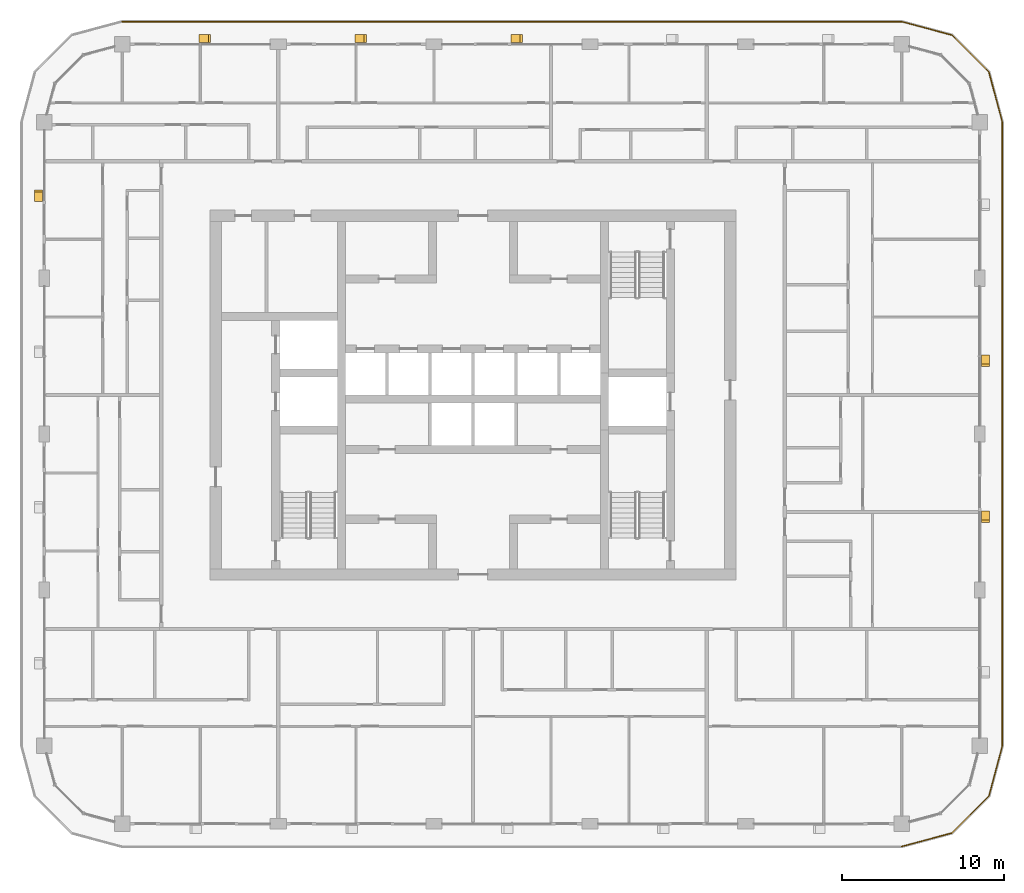
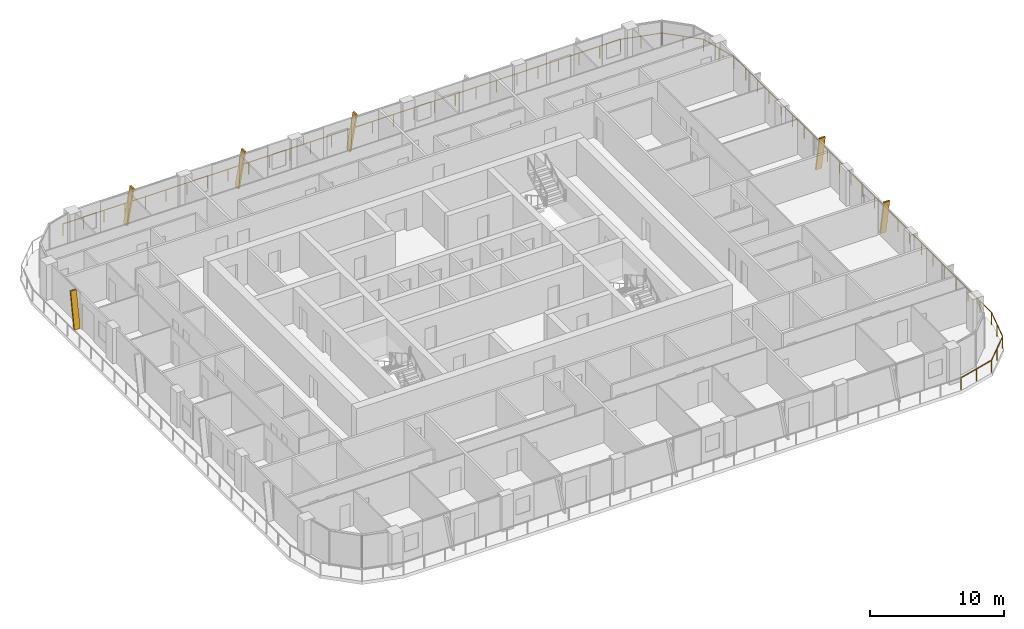
# One storey, part 20 of 21: 6 shading devices, 1 railing.
"""IFC4 building model written with IfcOpenShell, lengths in metres."""

import ifcopenshell
import ifcopenshell.guid

model = None  # the IFC model being written
_history = None  # IfcOwnerHistory: only IFC2X3 demands one
_inside = {}  # id of a spatial element -> (the spatial element, [elements in it])
_under = {}  # id of a project, library or spatial element -> (it, [spatial elements below it])
_declared = {}  # id of a project -> (the project, [libraries it declares])
_typed = {}  # id of a type object -> (the type object, [elements of that type])
_made_of = {}  # id of a material, layer set ... -> (it, [elements and type objects made of it])


def new_model(schema):
    """Start an empty IFC model of exactly this schema.

    Asked for "IFC4X3", IfcOpenShell would pick the latest addendum, in which some entities
    have other attributes; the version numbers below select the first issue.
    IFC2X3 requires an IfcOwnerHistory on every rooted entity: one is made here for all.
    """
    global model, _history
    if schema == "IFC4X3":
        model = ifcopenshell.file(schema_version=(4, 3, 0, 0))
    else:
        model = ifcopenshell.file(schema=schema)
    _inside.clear()
    _under.clear()
    _declared.clear()
    _typed.clear()
    _made_of.clear()
    _history = None
    if model.schema == "IFC2X3":
        org = make("IfcOrganization", Name="unknown")
        user = make(
            "IfcPersonAndOrganization",
            ThePerson=make("IfcPerson", FamilyName="unknown"),
            TheOrganization=org,
        )
        app = make(
            "IfcApplication",
            ApplicationDeveloper=org,
            Version="unknown",
            ApplicationFullName="unknown",
            ApplicationIdentifier="unknown",
        )
        _history = make(
            "IfcOwnerHistory",
            OwningUser=user,
            OwningApplication=app,
            ChangeAction="ADDED",
            CreationDate=0,
        )
    return model


def make(cls, **values):
    """One entity of the class cls with the attributes given. An attribute that is None is left unset."""
    return model.create_entity(
        cls, **{name: value for name, value in values.items() if value is not None}
    )


def rooted(cls, **values):
    """An entity with a GlobalId (a new one), such as an element, a storey or a relation."""
    return make(cls, GlobalId=ifcopenshell.guid.new(), OwnerHistory=_history, **values)


def si_unit(unit_type, name, prefix=None):
    """IfcSIUnit, for example si_unit("LENGTHUNIT", "METRE", prefix="MILLI")."""
    return make("IfcSIUnit", UnitType=unit_type, Prefix=prefix, Name=name)


def assignment(units):
    """IfcUnitAssignment: the units of a project."""
    return None if units is None else make("IfcUnitAssignment", Units=units)


def point(xyz):
    """IfcCartesianPoint."""
    return None if xyz is None else make("IfcCartesianPoint", Coordinates=xyz)


def direction(xyz):
    """IfcDirection."""
    return None if xyz is None else make("IfcDirection", DirectionRatios=xyz)


def frame(location, z_axis=None, x_axis=None):
    """IfcAxis2Placement3D, a coordinate frame: its origin and axes. An axis left out is left unset."""
    return make(
        "IfcAxis2Placement3D",
        Location=point(location),
        Axis=direction(z_axis),
        RefDirection=direction(x_axis),
    )


def frame_2d(location, x_axis=None):
    """IfcAxis2Placement2D, a coordinate frame in the plane: its origin and x axis."""
    return make(
        "IfcAxis2Placement2D", Location=point(location), RefDirection=direction(x_axis)
    )


def origin():
    """The frame at (0, 0, 0) with its axes left unset."""
    return frame((0.0, 0.0, 0.0))


def origin_2d():
    """The frame at (0, 0) in the plane with its x axis left unset."""
    return frame_2d((0.0, 0.0))


def place(relative_to, where):
    """IfcLocalPlacement: puts the frame where relative to a parent placement (None: the world)."""
    return make(
        "IfcLocalPlacement", PlacementRelTo=relative_to, RelativePlacement=where
    )


def context(
    kind, dimensions, precision=None, world=None, true_north=None, identifier=None
):
    """IfcGeometricRepresentationContext, for example the 3D "Model" context."""
    return make(
        "IfcGeometricRepresentationContext",
        ContextIdentifier=identifier,
        ContextType=kind,
        CoordinateSpaceDimension=dimensions,
        Precision=precision,
        WorldCoordinateSystem=world,
        TrueNorth=true_north,
    )


def subcontext(parent, identifier, kind, view, scale=None):
    """IfcGeometricRepresentationSubContext, for example "Body" below "Model"."""
    return make(
        "IfcGeometricRepresentationSubContext",
        ContextIdentifier=identifier,
        ContextType=kind,
        ParentContext=parent,
        TargetScale=scale,
        TargetView=view,
    )


def project(units=None, contexts=None):
    """IfcProject with its units and contexts."""
    return rooted(
        "IfcProject",
        Name="project",
        RepresentationContexts=contexts,
        UnitsInContext=assignment(units),
    )


def spatial(cls, under=None, at=None, **own):
    """A site, building, storey or space (cls), placed at a placement, below another one or the project."""
    s = rooted(cls, ObjectPlacement=at, **own)
    if under is not None:
        _under.setdefault(under.id(), (under, []))[1].append(s)
    return s


def polyline(points):
    """IfcPolyline through the points."""
    return make("IfcPolyline", Points=[point(p) for p in points])


def profile(cls, at=None, kind="AREA", **sizes):
    """A parametric profile (cls). Its sizes go by their IFC names, for example OverallWidth=200.0."""
    return make(cls, ProfileType=kind, Position=at, **sizes)


def circle(**sizes):
    """IfcCircleProfileDef."""
    return profile("IfcCircleProfileDef", **sizes)


def outline(outer, holes=None, kind="AREA"):
    """IfcArbitraryClosedProfileDef: a profile drawn as a closed curve; with holes, ...WithVoids."""
    if holes is None:
        return make("IfcArbitraryClosedProfileDef", ProfileType=kind, OuterCurve=outer)
    return make(
        "IfcArbitraryProfileDefWithVoids",
        ProfileType=kind,
        OuterCurve=outer,
        InnerCurves=holes,
    )


def extrude(swept, where, along, depth):
    """IfcExtrudedAreaSolid: the profile swept, set in the frame where, extruded along a direction by depth."""
    return make(
        "IfcExtrudedAreaSolid",
        SweptArea=swept,
        Position=where,
        ExtrudedDirection=direction(along),
        Depth=depth,
    )


def shape(context_of_items, identifier, shape_type, items):
    """IfcShapeRepresentation: the items that make up one representation, for example the "Body"."""
    return make(
        "IfcShapeRepresentation",
        ContextOfItems=context_of_items,
        RepresentationIdentifier=identifier,
        RepresentationType=shape_type,
        Items=items,
    )


def material(Name=None, Category=None):
    """IfcMaterial."""
    return make("IfcMaterial", Name=Name, Category=Category)


def made_of(thing, what):
    """Note that an element or type object is made of a material, layer set ...; save() writes the relation."""
    if what is not None:
        _made_of.setdefault(what.id(), (what, []))[1].append(thing)
    return thing


def type_object(cls, material=None, **own):
    """A type object (cls), such as IfcWallType, which elements share."""
    return made_of(rooted(cls, **own), material)


def element(
    cls,
    number,
    at=None,
    inside=None,
    cuts=None,
    type_object=None,
    material=None,
    context=None,
    identifier="Body",
    shape_type=None,
    held_by="IfcProductDefinitionShape",
    body=None,
    shapes=None,
    **own,
):
    """One element of the class cls, such as IfcWall. Its Tag is "e" and its number.

    at: its placement. inside: the storey or other place that contains it. cuts: it is an
    opening in that element (IfcRelVoidsElement). A single representation is given by context,
    identifier, shape_type and body (its items); several are given by shapes. held_by: the class
    of the entity that holds the representations. save() writes the other relations.
    """
    e = rooted(cls, Tag="e%d" % number, ObjectPlacement=at, **own)
    if body is not None:
        shapes = [shape(context, identifier, shape_type, body)]
    if shapes is not None:
        e.Representation = make(held_by, Representations=shapes)
    if inside is not None:
        _inside.setdefault(inside.id(), (inside, []))[1].append(e)
    if cuts is not None:
        rooted(
            "IfcRelVoidsElement", RelatingBuildingElement=cuts, RelatedOpeningElement=e
        )
    if type_object is not None:
        _typed.setdefault(type_object.id(), (type_object, []))[1].append(e)
    return made_of(e, material)


def aggregate(whole, parts):
    """IfcRelAggregates: a whole, such as a stair, and the parts it consists of."""
    return rooted("IfcRelAggregates", RelatingObject=whole, RelatedObjects=parts)


def save(model, path):
    """Write the relations noted so far, then the file.

    IfcRelAggregates (storeys below a building ...), IfcRelContainedInSpatialStructure (elements
    in a storey), IfcRelDefinesByType, IfcRelAssociatesMaterial and IfcRelDeclares: one each for
    every whole, place, type object, material and project.
    """
    for whole, parts in _under.values():
        aggregate(whole, parts)
    for where, things in _inside.values():
        rooted(
            "IfcRelContainedInSpatialStructure",
            RelatedElements=things,
            RelatingStructure=where,
        )
    for kind, things in _typed.values():
        rooted("IfcRelDefinesByType", RelatedObjects=things, RelatingType=kind)
    for what, things in _made_of.values():
        rooted("IfcRelAssociatesMaterial", RelatedObjects=things, RelatingMaterial=what)
    for by, libraries in _declared.values():
        rooted("IfcRelDeclares", RelatingContext=by, RelatedDefinitions=libraries)
    model.write(path)


model = new_model("IFC4")

# Units and contexts
model_context = context("Model", 3, precision=1e-05, world=origin(), true_north=direction((0.0, 1.0)))
body_context = subcontext(model_context, "Body", "Model", "MODEL_VIEW")
ifc_project = project(units=[si_unit("LENGTHUNIT", "METRE"), si_unit("AREAUNIT", "SQUARE_METRE"), si_unit("VOLUMEUNIT", "CUBIC_METRE"), si_unit("PLANEANGLEUNIT", "RADIAN"), si_unit("MASSUNIT", "GRAM", prefix="KILO")], contexts=[model_context])

# Site, building, storey
site_placement = place(None, origin())
site = spatial("IfcSite", under=ifc_project, at=site_placement, CompositionType="ELEMENT")
building_placement = place(site_placement, origin())
building = spatial("IfcBuilding", under=site, at=building_placement, Name="Madar Terraces", CompositionType="ELEMENT")
storey_placement = place(building_placement, frame((0.0, 0.0, 196.39990234375)))
storey = spatial("IfcBuildingStorey", under=building, at=storey_placement, Name="L51", CompositionType="ELEMENT", Elevation=196.39990234375)

# Railing
ifc_material_1 = material(Name="Glass, safety glazing, with stainless steel posts", Category="steel")
railing_type = type_object("IfcRailingType", Name="Balcony glass guard 1100", PredefinedType="GUARDRAIL", material=ifc_material_1)
railing_placement = place(storey_placement, frame((57.60009765625, -1.39990234375, 0.0)))
element("IfcRailing", 1, at=railing_placement, inside=storey, type_object=railing_type, Name="Balcony guard", PredefinedType="GUARDRAIL", context=body_context, shape_type="SweptSolid", body=[
    extrude(circle(Radius=0.02392578125, at=origin_2d()), frame((0.0, 0.0, 1.076171875), z_axis=(0.965928696102, 0.258808334578, 0.0), x_axis=(-0.258808334578, 0.965928696102, 0.0)), (0.0, 0.0, 1.0), 3.209228515625),
    extrude(circle(Radius=0.02392578125, at=origin_2d()), frame((3.099853515625, 0.83056640625, 1.076171875), z_axis=(0.707144815061, 0.707068745266, 0.0), x_axis=(-0.707068745266, 0.707144815061, 0.0)), (0.0, 0.0, 1.0), 3.20947265625),
    extrude(circle(Radius=0.02392578125, at=origin_2d()), frame((5.369384765625, 3.099853515625, 1.076171875), z_axis=(0.258789317819, 0.9659337912, 0.0), x_axis=(-0.9659337912, 0.258789317819, 0.0)), (0.0, 0.0, 1.0), 3.20947265625),
    extrude(circle(Radius=0.02392578125, at=origin_2d()), frame((6.199951171875, 6.199951171875, 1.076171875), z_axis=(0.0, 1.0, 0.0), x_axis=(-1.0, 0.0, 0.0)), (0.0, 0.0, 1.0), 38.39990234375),
    extrude(circle(Radius=0.02392578125, at=origin_2d()), frame((6.199951171875, 44.599853515625, 1.076171875), z_axis=(-0.258789317819, 0.9659337912, 0.0), x_axis=(-0.9659337912, -0.258789317819, 0.0)), (0.0, 0.0, 1.0), 3.20947265625),
    extrude(circle(Radius=0.02392578125, at=origin_2d()), frame((5.369384765625, 47.699951171875, 1.076171875), z_axis=(-0.707144815061, 0.707068745266, 0.0), x_axis=(-0.707068745266, -0.707144815061, 0.0)), (0.0, 0.0, 1.0), 3.20947265625),
    extrude(circle(Radius=0.02392578125, at=origin_2d()), frame((3.099853515625, 49.96923828125, 1.076171875), z_axis=(-0.965928696102, 0.258808334578, 0.0), x_axis=(-0.258808334578, -0.965928696102, 0.0)), (0.0, 0.0, 1.0), 3.209228515625),
    extrude(circle(Radius=0.02392578125, at=origin_2d()), frame((0.0, 50.7998046875, 1.076171875), z_axis=(-1.0, 0.0, 0.0), x_axis=(0.0, -1.0, 0.0)), (0.0, 0.0, 1.0), 48.0),
    extrude(circle(Radius=0.02099609375, at=origin_2d()), origin(), (0.0, 0.0, 1.0), 1.052001953125),
    extrude(circle(Radius=0.02099609375, at=origin_2d()), frame((1.5498046875, 0.415283203125, 0.0)), (0.0, 0.0, 1.0), 1.052001953125),
    extrude(circle(Radius=0.02099609375, at=origin_2d()), frame((3.099853515625, 0.83056640625, 0.0)), (0.0, 0.0, 1.0), 1.052001953125),
    extrude(circle(Radius=0.02099609375, at=origin_2d()), frame((4.234619140625, 1.96533203125, 0.0)), (0.0, 0.0, 1.0), 1.052001953125),
    extrude(circle(Radius=0.02099609375, at=origin_2d()), frame((5.369384765625, 3.099853515625, 0.0)), (0.0, 0.0, 1.0), 1.052001953125),
    extrude(circle(Radius=0.02099609375, at=origin_2d()), frame((5.78466796875, 4.64990234375, 0.0)), (0.0, 0.0, 1.0), 1.052001953125),
    extrude(circle(Radius=0.02099609375, at=origin_2d()), frame((6.199951171875, 6.199951171875, 0.0)), (0.0, 0.0, 1.0), 1.052001953125),
    extrude(circle(Radius=0.02099609375, at=origin_2d()), frame((6.199951171875, 7.9453125, 0.0)), (0.0, 0.0, 1.0), 1.052001953125),
    extrude(circle(Radius=0.02099609375, at=origin_2d()), frame((6.199951171875, 9.69091796875, 0.0)), (0.0, 0.0, 1.0), 1.052001953125),
    extrude(circle(Radius=0.02099609375, at=origin_2d()), frame((6.199951171875, 11.436279296875, 0.0)), (0.0, 0.0, 1.0), 1.052001953125),
    extrude(circle(Radius=0.02099609375, at=origin_2d()), frame((6.199951171875, 13.181640625, 0.0)), (0.0, 0.0, 1.0), 1.052001953125),
    extrude(circle(Radius=0.02099609375, at=origin_2d()), frame((6.199951171875, 14.92724609375, 0.0)), (0.0, 0.0, 1.0), 1.052001953125),
    extrude(circle(Radius=0.02099609375, at=origin_2d()), frame((6.199951171875, 16.672607421875, 0.0)), (0.0, 0.0, 1.0), 1.052001953125),
    extrude(circle(Radius=0.02099609375, at=origin_2d()), frame((6.199951171875, 18.418212890625, 0.0)), (0.0, 0.0, 1.0), 1.052001953125),
    extrude(circle(Radius=0.02099609375, at=origin_2d()), frame((6.199951171875, 20.16357421875, 0.0)), (0.0, 0.0, 1.0), 1.052001953125),
    extrude(circle(Radius=0.02099609375, at=origin_2d()), frame((6.199951171875, 21.908935546875, 0.0)), (0.0, 0.0, 1.0), 1.052001953125),
    extrude(circle(Radius=0.02099609375, at=origin_2d()), frame((6.199951171875, 23.654541015625, 0.0)), (0.0, 0.0, 1.0), 1.052001953125),
    extrude(circle(Radius=0.02099609375, at=origin_2d()), frame((6.199951171875, 25.39990234375, 0.0)), (0.0, 0.0, 1.0), 1.052001953125),
    extrude(circle(Radius=0.02099609375, at=origin_2d()), frame((6.199951171875, 27.145263671875, 0.0)), (0.0, 0.0, 1.0), 1.052001953125),
    extrude(circle(Radius=0.02099609375, at=origin_2d()), frame((6.199951171875, 28.890869140625, 0.0)), (0.0, 0.0, 1.0), 1.052001953125),
    extrude(circle(Radius=0.02099609375, at=origin_2d()), frame((6.199951171875, 30.63623046875, 0.0)), (0.0, 0.0, 1.0), 1.052001953125),
    extrude(circle(Radius=0.02099609375, at=origin_2d()), frame((6.199951171875, 32.381591796875, 0.0)), (0.0, 0.0, 1.0), 1.052001953125),
    extrude(circle(Radius=0.02099609375, at=origin_2d()), frame((6.199951171875, 34.127197265625, 0.0)), (0.0, 0.0, 1.0), 1.052001953125),
    extrude(circle(Radius=0.02099609375, at=origin_2d()), frame((6.199951171875, 35.87255859375, 0.0)), (0.0, 0.0, 1.0), 1.052001953125),
    extrude(circle(Radius=0.02099609375, at=origin_2d()), frame((6.199951171875, 37.6181640625, 0.0)), (0.0, 0.0, 1.0), 1.052001953125),
    extrude(circle(Radius=0.02099609375, at=origin_2d()), frame((6.199951171875, 39.363525390625, 0.0)), (0.0, 0.0, 1.0), 1.052001953125),
    extrude(circle(Radius=0.02099609375, at=origin_2d()), frame((6.199951171875, 41.10888671875, 0.0)), (0.0, 0.0, 1.0), 1.052001953125),
    extrude(circle(Radius=0.02099609375, at=origin_2d()), frame((6.199951171875, 42.8544921875, 0.0)), (0.0, 0.0, 1.0), 1.052001953125),
    extrude(circle(Radius=0.02099609375, at=origin_2d()), frame((6.199951171875, 44.599853515625, 0.0)), (0.0, 0.0, 1.0), 1.052001953125),
    extrude(circle(Radius=0.02099609375, at=origin_2d()), frame((5.78466796875, 46.14990234375, 0.0)), (0.0, 0.0, 1.0), 1.052001953125),
    extrude(circle(Radius=0.02099609375, at=origin_2d()), frame((5.369384765625, 47.699951171875, 0.0)), (0.0, 0.0, 1.0), 1.052001953125),
    extrude(circle(Radius=0.02099609375, at=origin_2d()), frame((4.234619140625, 48.83447265625, 0.0)), (0.0, 0.0, 1.0), 1.052001953125),
    extrude(circle(Radius=0.02099609375, at=origin_2d()), frame((3.099853515625, 49.96923828125, 0.0)), (0.0, 0.0, 1.0), 1.052001953125),
    extrude(circle(Radius=0.02099609375, at=origin_2d()), frame((1.5498046875, 50.384521484375, 0.0)), (0.0, 0.0, 1.0), 1.052001953125),
    extrude(circle(Radius=0.02099609375, at=origin_2d()), frame((0.0, 50.7998046875, 0.0)), (0.0, 0.0, 1.0), 1.052001953125),
    extrude(circle(Radius=0.02099609375, at=origin_2d()), frame((-1.77783203125, 50.7998046875, 0.0)), (0.0, 0.0, 1.0), 1.052001953125),
    extrude(circle(Radius=0.02099609375, at=origin_2d()), frame((-3.5556640625, 50.7998046875, 0.0)), (0.0, 0.0, 1.0), 1.052001953125),
    extrude(circle(Radius=0.02099609375, at=origin_2d()), frame((-5.333251953125, 50.7998046875, 0.0)), (0.0, 0.0, 1.0), 1.052001953125),
    extrude(circle(Radius=0.02099609375, at=origin_2d()), frame((-7.111083984375, 50.7998046875, 0.0)), (0.0, 0.0, 1.0), 1.052001953125),
    extrude(circle(Radius=0.02099609375, at=origin_2d()), frame((-8.888916015625, 50.7998046875, 0.0)), (0.0, 0.0, 1.0), 1.052001953125),
    extrude(circle(Radius=0.02099609375, at=origin_2d()), frame((-10.666748046875, 50.7998046875, 0.0)), (0.0, 0.0, 1.0), 1.052001953125),
    extrude(circle(Radius=0.02099609375, at=origin_2d()), frame((-12.4443359375, 50.7998046875, 0.0)), (0.0, 0.0, 1.0), 1.052001953125),
    extrude(circle(Radius=0.02099609375, at=origin_2d()), frame((-14.22216796875, 50.7998046875, 0.0)), (0.0, 0.0, 1.0), 1.052001953125),
    extrude(circle(Radius=0.02099609375, at=origin_2d()), frame((-16.0, 50.7998046875, 0.0)), (0.0, 0.0, 1.0), 1.052001953125),
    extrude(circle(Radius=0.02099609375, at=origin_2d()), frame((-17.77783203125, 50.7998046875, 0.0)), (0.0, 0.0, 1.0), 1.052001953125),
    extrude(circle(Radius=0.02099609375, at=origin_2d()), frame((-19.5556640625, 50.7998046875, 0.0)), (0.0, 0.0, 1.0), 1.052001953125),
    extrude(circle(Radius=0.02099609375, at=origin_2d()), frame((-21.333251953125, 50.7998046875, 0.0)), (0.0, 0.0, 1.0), 1.052001953125),
    extrude(circle(Radius=0.02099609375, at=origin_2d()), frame((-23.111083984375, 50.7998046875, 0.0)), (0.0, 0.0, 1.0), 1.052001953125),
    extrude(circle(Radius=0.02099609375, at=origin_2d()), frame((-24.888916015625, 50.7998046875, 0.0)), (0.0, 0.0, 1.0), 1.052001953125),
    extrude(circle(Radius=0.02099609375, at=origin_2d()), frame((-26.666748046875, 50.7998046875, 0.0)), (0.0, 0.0, 1.0), 1.052001953125),
    extrude(circle(Radius=0.02099609375, at=origin_2d()), frame((-28.4443359375, 50.7998046875, 0.0)), (0.0, 0.0, 1.0), 1.052001953125),
    extrude(circle(Radius=0.02099609375, at=origin_2d()), frame((-30.22216796875, 50.7998046875, 0.0)), (0.0, 0.0, 1.0), 1.052001953125),
    extrude(circle(Radius=0.02099609375, at=origin_2d()), frame((-32.0, 50.7998046875, 0.0)), (0.0, 0.0, 1.0), 1.052001953125),
    extrude(circle(Radius=0.02099609375, at=origin_2d()), frame((-33.77783203125, 50.7998046875, 0.0)), (0.0, 0.0, 1.0), 1.052001953125),
    extrude(circle(Radius=0.02099609375, at=origin_2d()), frame((-35.5556640625, 50.7998046875, 0.0)), (0.0, 0.0, 1.0), 1.052001953125),
    extrude(circle(Radius=0.02099609375, at=origin_2d()), frame((-37.333251953125, 50.7998046875, 0.0)), (0.0, 0.0, 1.0), 1.052001953125),
    extrude(circle(Radius=0.02099609375, at=origin_2d()), frame((-39.111083984375, 50.7998046875, 0.0)), (0.0, 0.0, 1.0), 1.052001953125),
    extrude(circle(Radius=0.02099609375, at=origin_2d()), frame((-40.888916015625, 50.7998046875, 0.0)), (0.0, 0.0, 1.0), 1.052001953125),
    extrude(circle(Radius=0.02099609375, at=origin_2d()), frame((-42.666748046875, 50.7998046875, 0.0)), (0.0, 0.0, 1.0), 1.052001953125),
    extrude(circle(Radius=0.02099609375, at=origin_2d()), frame((-44.4443359375, 50.7998046875, 0.0)), (0.0, 0.0, 1.0), 1.052001953125),
    extrude(circle(Radius=0.02099609375, at=origin_2d()), frame((-46.22216796875, 50.7998046875, 0.0)), (0.0, 0.0, 1.0), 1.052001953125),
    extrude(circle(Radius=0.02099609375, at=origin_2d()), frame((-48.0, 50.7998046875, 0.0)), (0.0, 0.0, 1.0), 1.052001953125),
])

# Shading devices
ifc_material_2 = material(Name="Aluminium, black anodised", Category="aluminium")
shading_device_type = type_object("IfcShadingDeviceType", Name="Facade fin blade 140 x 500", PredefinedType="USERDEFINED", material=ifc_material_2)
for number, where, z_axis, x_axis, name in (
    (2, (62.75, 19.1298828125, 0.0), (0.0, 0.0, 1.0), (0.0, 1.0, 0.0), "FIN L51 E2"),
    (3, (62.75, 28.72998046875, 0.0), (0.0, 0.0, 1.0), (0.0, 1.0, 0.0), "FIN L51 E3"),
):
    element("IfcShadingDevice", number, at=place(storey_placement, frame(where, z_axis=z_axis, x_axis=x_axis)), inside=storey, type_object=shading_device_type, Name=name, ObjectType="FIN", PredefinedType="USERDEFINED", context=body_context, shape_type="SweptSolid", body=[
        extrude(outline(polyline([(0.0, 0.0), (0.14013671875, 0.0), (-0.42431640625, 3.2001953125), (-0.564208984375, 3.2001953125), (0.0, 0.0)])), frame((0.0, 0.25, 0.0), z_axis=(0.0, -1.0, 0.0), x_axis=(1.0, 0.0, 0.0)), (0.0, 0.0, 1.0), 0.5),
    ])
shading_device_1_placement = place(storey_placement, frame((33.669921875, 48.35009765625, 0.0), z_axis=(0.0, 0.0, 1.0), x_axis=(-1.0, 0.0, 0.0)))
element("IfcShadingDevice", 4, at=shading_device_1_placement, inside=storey, type_object=shading_device_type, Name="FIN L51 N3", ObjectType="FIN", PredefinedType="USERDEFINED", context=body_context, shape_type="SweptSolid", body=[
    extrude(outline(polyline([(0.0, 0.0), (0.139892578125, 0.0), (-0.42431640625, 3.2001953125), (-0.564208984375, 3.2001953125), (0.0, 0.0)])), frame((0.0, 0.25, 0.0), z_axis=(0.0, -1.0, 0.0), x_axis=(1.0, 0.0, 0.0)), (0.0, 0.0, 1.0), 0.5),
])
shading_device_2_placement = place(storey_placement, frame((24.070068359375, 48.35009765625, 0.0), z_axis=(0.0, 0.0, 1.0), x_axis=(-1.0, 0.0, 0.0)))
element("IfcShadingDevice", 5, at=shading_device_2_placement, inside=storey, type_object=shading_device_type, Name="FIN L51 N4", ObjectType="FIN", PredefinedType="USERDEFINED", context=body_context, shape_type="SweptSolid", body=[
    extrude(outline(polyline([(0.0, 0.0), (0.14013671875, 0.0), (-0.42431640625, 3.2001953125), (-0.564208984375, 3.2001953125), (0.0, 0.0)])), frame((0.0, 0.25, 0.0), z_axis=(0.0, -1.0, 0.0), x_axis=(1.0, 0.0, 0.0)), (0.0, 0.0, 1.0), 0.5),
])
for number, where, z_axis, x_axis, name in (
    (6, (14.469970703125, 48.35009765625, 0.0), (0.0, 0.0, 1.0), (-1.0, 0.0, 0.0), "FIN L51 N5"),
    (7, (4.449951171875, 38.469970703125, 0.0), (0.0, 0.0, 1.0), (0.0, -1.0, 0.0), "FIN L51 W1"),
):
    element("IfcShadingDevice", number, at=place(storey_placement, frame(where, z_axis=z_axis, x_axis=x_axis)), inside=storey, type_object=shading_device_type, Name=name, ObjectType="FIN", PredefinedType="USERDEFINED", context=body_context, shape_type="SweptSolid", body=[
        extrude(outline(polyline([(0.0, 0.0), (0.139892578125, 0.0), (-0.42431640625, 3.2001953125), (-0.564208984375, 3.2001953125), (0.0, 0.0)])), frame((0.0, 0.25, 0.0), z_axis=(0.0, -1.0, 0.0), x_axis=(1.0, 0.0, 0.0)), (0.0, 0.0, 1.0), 0.5),
    ])

save(model, "model.ifc")
